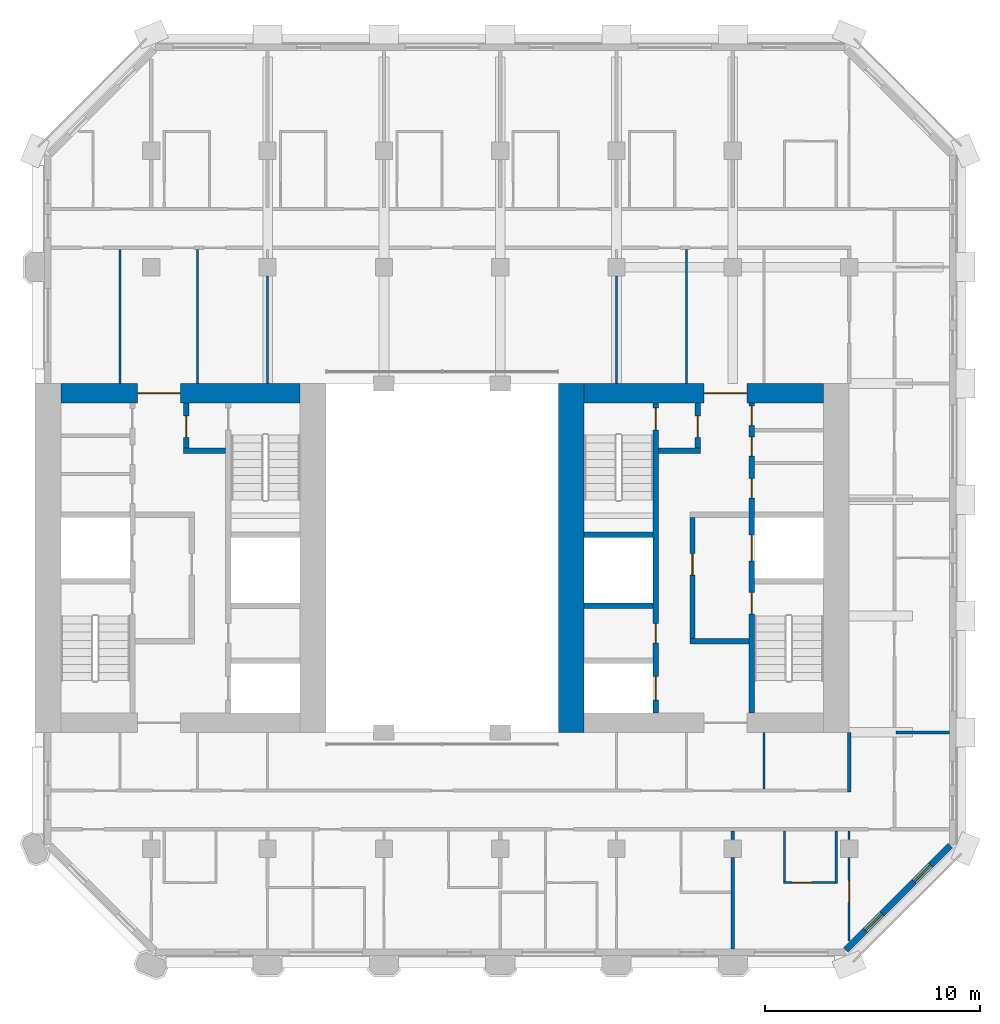
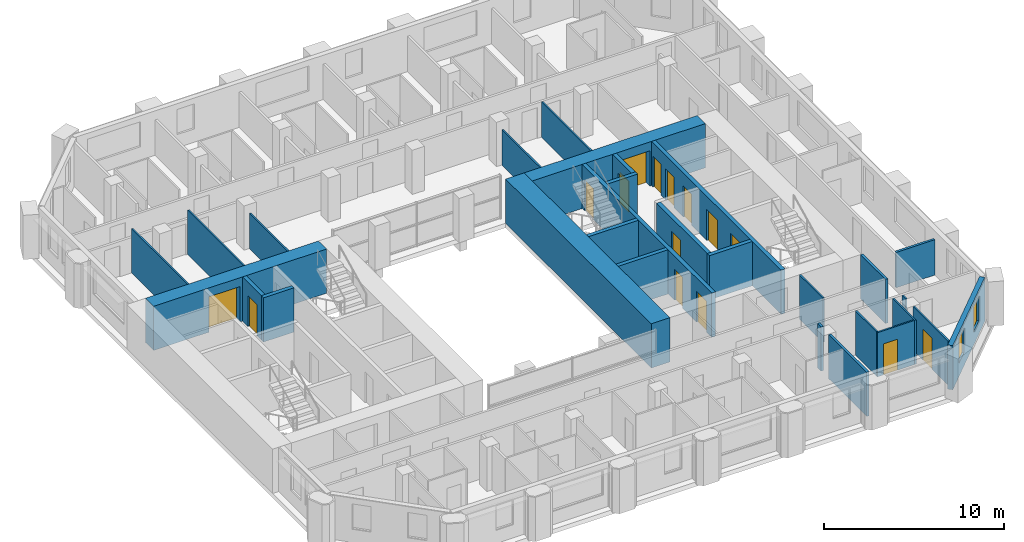
# One storey, part 6 of 12: 29 walls, 15 doors, 2 windows, 17 openings.
"""IFC4 building model written with IfcOpenShell, lengths in metres."""

from ifc_helpers import new_model, si_unit, direction, frame, frame_2d, origin, place, context, subcontext, project, spatial, rectangle, extrude, material, layer, layer_set, type_object, element, fill, save


model = new_model("IFC4")

# Units and contexts
model_context = context("Model", 3, precision=1e-05, world=origin(), true_north=direction((0.0, 1.0)))
body_context = subcontext(model_context, "Body", "Model", "MODEL_VIEW")
ifc_project = project(units=[si_unit("LENGTHUNIT", "METRE"), si_unit("AREAUNIT", "SQUARE_METRE"), si_unit("VOLUMEUNIT", "CUBIC_METRE"), si_unit("PLANEANGLEUNIT", "RADIAN"), si_unit("MASSUNIT", "GRAM", prefix="KILO")], contexts=[model_context])

# Site, building, storey
site_placement = place(None, origin())
site = spatial("IfcSite", under=ifc_project, at=site_placement, CompositionType="ELEMENT")
building_placement = place(site_placement, origin())
building = spatial("IfcBuilding", under=site, at=building_placement, Name="Tabaq Tower and Sports Hall", CompositionType="ELEMENT")
storey_placement = place(building_placement, frame((0.0, 0.0, 184.0)))
storey = spatial("IfcBuildingStorey", under=building, at=storey_placement, Name="L44", CompositionType="ELEMENT", Elevation=184.0)

# Wall
ifc_material_1 = material(Name="Concrete C50/60", Category="concrete")
ifc_layer_1 = layer(ifc_material_1, 1.199951171875)
ifc_layer_set_1 = layer_set([ifc_layer_1], Name="Core wall 1200 Concrete C50/60")
wall_type_1 = type_object("IfcWallType", Name="Core wall 1200 Concrete C50/60", PredefinedType="SOLIDWALL", material=ifc_layer_set_1)
wall_1_placement = place(storey_placement, frame((30.300048828125, 16.199951171875, 0.0), z_axis=(0.0, 0.0, 1.0), x_axis=(0.0, 1.0, 0.0)))
element("IfcWall", 1, at=wall_1_placement, inside=storey, type_object=wall_type_1, Name="Core wall E L44", PredefinedType="SOLIDWALL", context=body_context, shape_type="SweptSolid", body=[
    extrude(rectangle(XDim=16.199951171875, YDim=1.199951171875, at=frame_2d((8.10009765625, 0.0))), origin(), (0.0, 0.0, 1.0), 3.0),
])

# Wall, opening, door
ifc_material_2 = material(Name="Concrete C50/60", Category="concrete")
ifc_layer_2 = layer(ifc_material_2, 0.89990234375)
ifc_layer_set_2 = layer_set([ifc_layer_2], Name="Core wall 900 Concrete C50/60")
wall_type_2 = type_object("IfcWallType", Name="Core wall 900 Concrete C50/60", PredefinedType="SOLIDWALL", material=ifc_layer_set_2)
wall_2_placement = place(storey_placement, frame((6.60009765625, 31.949951171875, 0.0), z_axis=(0.0, 0.0, 1.0), x_axis=(1.0, 0.0, 0.0)))
wall_2 = element("IfcWall", 2, at=wall_2_placement, inside=storey, type_object=wall_type_2, Name="Core wall W L44", PredefinedType="SOLIDWALL", context=body_context, shape_type="SweptSolid", body=[
    extrude(rectangle(XDim=11.099853515625, YDim=0.89990234375, at=frame_2d((5.5498046875, 0.0))), origin(), (0.0, 0.0, 1.0), 3.0),
])
opening_1_placement = place(wall_2_placement, frame((3.550048828125, 0.0, 0.0)))
opening_1 = element("IfcOpeningElement", 3, at=opening_1_placement, cuts=wall_2, Name="Opening PD-WL44-02", PredefinedType="OPENING", context=body_context, shape_type="SweptSolid", body=[
    extrude(rectangle(XDim=2.0, YDim=2.39990234375, at=frame_2d((1.0, 1.199951171875))), frame((0.0, 0.449951171875, 0.0), z_axis=(0.0, -1.0, 0.0), x_axis=(1.0, 0.0, 0.0)), (0.0, 0.0, 1.0), 0.89990234375),
])
ifc_material_3 = material(Name="Steel fire door", Category="steel")
door_type_1 = type_object("IfcDoorType", Name="Core entrance door 2000", OperationType="DOUBLE_DOOR_SINGLE_SWING", PredefinedType="DOOR", material=ifc_material_3)
door_1_placement = place(opening_1_placement, origin())
door_1 = element("IfcDoor", 4, at=door_1_placement, inside=storey, type_object=door_type_1, Name="Core entrance north W L44", OperationType="DOUBLE_DOOR_SINGLE_SWING", OverallHeight=2.39990234375, OverallWidth=2.0, PredefinedType="DOOR", context=body_context, shape_type="SweptSolid", body=[
    extrude(rectangle(XDim=2.0, YDim=2.39990234375, at=frame_2d((1.0, 1.199951171875))), frame((0.0, 0.02490234375, 0.0), z_axis=(0.0, -1.0, 0.0), x_axis=(1.0, 0.0, 0.0)), (0.0, 0.0, 1.0), 0.050048828125),
])
fill(opening_1, door_1)

wall_3_placement = place(storey_placement, frame((30.89990234375, 31.949951171875, 0.0), z_axis=(0.0, 0.0, 1.0), x_axis=(1.0, 0.0, 0.0)))
wall_3 = element("IfcWall", 5, at=wall_3_placement, inside=storey, type_object=wall_type_2, Name="Core wall E L44", PredefinedType="SOLIDWALL", context=body_context, shape_type="SweptSolid", body=[
    extrude(rectangle(XDim=11.10009765625, YDim=0.89990234375, at=frame_2d((5.550048828125, 0.0))), origin(), (0.0, 0.0, 1.0), 3.0),
])
opening_2_placement = place(wall_3_placement, frame((5.550048828125, 0.0, 0.0)))
opening_2 = element("IfcOpeningElement", 6, at=opening_2_placement, cuts=wall_3, Name="Opening PD-EL44-02", PredefinedType="OPENING", context=body_context, shape_type="SweptSolid", body=[
    extrude(rectangle(XDim=2.0, YDim=2.39990234375, at=frame_2d((1.0, 1.199951171875))), frame((0.0, 0.449951171875, 0.0), z_axis=(0.0, -1.0, 0.0), x_axis=(1.0, 0.0, 0.0)), (0.0, 0.0, 1.0), 0.89990234375),
])
door_2_placement = place(opening_2_placement, origin())
door_2 = element("IfcDoor", 7, at=door_2_placement, inside=storey, type_object=door_type_1, Name="Core entrance north E L44", OperationType="DOUBLE_DOOR_SINGLE_SWING", OverallHeight=2.39990234375, OverallWidth=2.0, PredefinedType="DOOR", context=body_context, shape_type="SweptSolid", body=[
    extrude(rectangle(XDim=2.0, YDim=2.39990234375, at=frame_2d((1.0, 1.199951171875))), frame((0.0, 0.02490234375, 0.0), z_axis=(0.0, -1.0, 0.0), x_axis=(1.0, 0.0, 0.0)), (0.0, 0.0, 1.0), 0.050048828125),
])
fill(opening_2, door_2)

# Walls
ifc_material_4 = material(Name="Gypsum board on steel studs", Category="steel")
ifc_layer_3 = layer(ifc_material_4, 0.10009765625)
ifc_layer_set_3 = layer_set([ifc_layer_3], Name="Partition 100 Gypsum board")
wall_type_3 = type_object("IfcWallType", Name="Partition 100 Gypsum board", PredefinedType="PARTITIONING", material=ifc_layer_set_3)
for number, where, z_axis, x_axis, name in (
    (8, (16.199951171875, 37.3798828125, 0.0), (0.0, 0.0, 1.0), (0.0, -1.0, 0.0), "Partition wall L44"),
    (9, (32.39990234375, 32.39990234375, 0.0), (0.0, 0.0, 1.0), (0.0, 1.0, 0.0), "Partition wall L44"),
):
    element("IfcWall", number, at=place(storey_placement, frame(where, z_axis=z_axis, x_axis=x_axis)), inside=storey, type_object=wall_type_3, Name=name, PredefinedType="PARTITIONING", context=body_context, shape_type="SweptSolid", body=[
        extrude(rectangle(XDim=4.97998046875, YDim=0.10009765625, at=frame_2d((2.489990234375, 0.0))), origin(), (0.0, 0.0, 1.0), 2.39990234375),
    ])
for number, where, z_axis, x_axis, name in (
    (10, (9.35009765625, 38.625, 0.0), (0.0, 0.0, 1.0), (0.0, -1.0, 0.0), "Partition wall L44"),
    (11, (12.949951171875, 32.39990234375, 0.0), (0.0, 0.0, 1.0), (0.0, 1.0, 0.0), "Partition wall L44"),
):
    element("IfcWall", number, at=place(storey_placement, frame(where, z_axis=z_axis, x_axis=x_axis)), inside=storey, type_object=wall_type_3, Name=name, PredefinedType="PARTITIONING", context=body_context, shape_type="SweptSolid", body=[
        extrude(rectangle(XDim=6.22509765625, YDim=0.10009765625, at=frame_2d((3.112548828125, 0.0))), origin(), (0.0, 0.0, 1.0), 3.0),
    ])
wall_4_placement = place(storey_placement, frame((35.64990234375, 38.625, 0.0), z_axis=(0.0, 0.0, 1.0), x_axis=(0.0, -1.0, 0.0)))
element("IfcWall", 12, at=wall_4_placement, inside=storey, type_object=wall_type_3, Name="Partition wall L44", PredefinedType="PARTITIONING", context=body_context, shape_type="SweptSolid", body=[
    extrude(rectangle(XDim=6.22509765625, YDim=0.10009765625, at=frame_2d((3.112548828125, 0.0))), origin(), (0.0, 0.0, 1.0), 2.39990234375),
])

# Wall, opening, door
wall_5_placement = place(storey_placement, frame((43.199951171875, 6.51220703125, 0.0), z_axis=(0.0, 0.0, 1.0), x_axis=(0.0, 1.0, 0.0)))
wall_5 = element("IfcWall", 13, at=wall_5_placement, inside=storey, type_object=wall_type_3, Name="Partition wall L44", PredefinedType="PARTITIONING", context=body_context, shape_type="SweptSolid", body=[
    extrude(rectangle(XDim=3.86767578125, YDim=0.10009765625, at=frame_2d((1.933837890625, 0.0))), origin(), (0.0, 0.0, 1.0), 3.0),
])
opening_3_placement = place(wall_5_placement, frame((1.80029296875, 0.0, 0.0)))
opening_3 = element("IfcOpeningElement", 14, at=opening_3_placement, cuts=wall_5, Name="Opening L44-045", PredefinedType="OPENING", context=body_context, shape_type="SweptSolid", body=[
    extrude(rectangle(XDim=1.0, YDim=2.10009765625, at=frame_2d((0.5, 1.050048828125))), frame((0.0, 0.050048828125, 0.0), z_axis=(0.0, -1.0, 0.0), x_axis=(1.0, 0.0, 0.0)), (0.0, 0.0, 1.0), 0.10009765625),
])
ifc_material_5 = material(Name="Timber leaf in steel frame", Category="steel")
door_type_2 = type_object("IfcDoorType", Name="Internal door 1000 right hand", OperationType="SINGLE_SWING_RIGHT", PredefinedType="DOOR", material=ifc_material_5)
door_3_placement = place(opening_3_placement, origin())
door_3 = element("IfcDoor", 15, at=door_3_placement, inside=storey, type_object=door_type_2, Name="Internal door L44-045", OperationType="SINGLE_SWING_RIGHT", OverallHeight=2.10009765625, OverallWidth=1.0, PredefinedType="DOOR", context=body_context, shape_type="SweptSolid", body=[
    extrude(rectangle(XDim=1.0, YDim=2.10009765625, at=frame_2d((0.5, 1.050048828125))), frame((0.0, 0.02490234375, 0.0), z_axis=(0.0, -1.0, 0.0), x_axis=(1.0, 0.0, 0.0)), (0.0, 0.0, 1.0), 0.050048828125),
])
fill(opening_3, door_3)

# Walls
wall_6_placement = place(storey_placement, frame((43.199951171875, 11.219970703125, 0.0), z_axis=(0.0, 0.0, 1.0), x_axis=(0.0, 1.0, 0.0)))
element("IfcWall", 16, at=wall_6_placement, inside=storey, type_object=wall_type_3, Name="Partition wall L44", PredefinedType="PARTITIONING", context=body_context, shape_type="SweptSolid", body=[
    extrude(rectangle(XDim=0.405029296875, YDim=0.10009765625, at=frame_2d((0.20263671875, 0.0))), origin(), (0.0, 0.0, 1.0), 3.0),
])
wall_7_placement = place(storey_placement, frame((42.60009765625, 11.625, 0.0), z_axis=(0.0, 0.0, 1.0), x_axis=(0.0, -1.0, 0.0)))
element("IfcWall", 17, at=wall_7_placement, inside=storey, type_object=wall_type_3, Name="Partition wall L44", PredefinedType="PARTITIONING", context=body_context, shape_type="SweptSolid", body=[
    extrude(rectangle(XDim=2.449951171875, YDim=0.10009765625, at=frame_2d((1.22509765625, 0.0))), origin(), (0.0, 0.0, 1.0), 3.0),
])

# Wall, opening, door
wall_8_placement = place(storey_placement, frame((42.550048828125, 9.22509765625, 0.0), z_axis=(0.0, 0.0, 1.0), x_axis=(-1.0, 0.0, 0.0)))
wall_8 = element("IfcWall", 18, at=wall_8_placement, inside=storey, type_object=wall_type_3, Name="Partition wall L44", PredefinedType="PARTITIONING", context=body_context, shape_type="SweptSolid", body=[
    extrude(rectangle(XDim=2.400146484375, YDim=0.10009765625, at=frame_2d((1.2001953125, 0.0))), origin(), (0.0, 0.0, 1.0), 3.0),
])
opening_4_placement = place(wall_8_placement, frame((1.10009765625, 0.0, 0.0)))
opening_4 = element("IfcOpeningElement", 19, at=opening_4_placement, cuts=wall_8, Name="Opening L44-023", PredefinedType="OPENING", context=body_context, shape_type="SweptSolid", body=[
    extrude(rectangle(XDim=0.89990234375, YDim=2.10009765625, at=frame_2d((0.449951171875, 1.050048828125))), frame((0.0, 0.050048828125, 0.0), z_axis=(0.0, -1.0, 0.0), x_axis=(1.0, 0.0, 0.0)), (0.0, 0.0, 1.0), 0.10009765625),
])
ifc_material_6 = material(Name="Timber leaf in steel frame", Category="steel")
door_type_3 = type_object("IfcDoorType", Name="Internal door 900 right hand", OperationType="SINGLE_SWING_RIGHT", PredefinedType="DOOR", material=ifc_material_6)
door_4_placement = place(opening_4_placement, origin())
door_4 = element("IfcDoor", 20, at=door_4_placement, inside=storey, type_object=door_type_3, Name="Internal door L44-023", OperationType="SINGLE_SWING_RIGHT", OverallHeight=2.10009765625, OverallWidth=0.89990234375, PredefinedType="DOOR", context=body_context, shape_type="SweptSolid", body=[
    extrude(rectangle(XDim=0.89990234375, YDim=2.10009765625, at=frame_2d((0.449951171875, 1.050048828125))), frame((0.0, 0.02490234375, 0.0), z_axis=(0.0, -1.0, 0.0), x_axis=(1.0, 0.0, 0.0)), (0.0, 0.0, 1.0), 0.050048828125),
])
fill(opening_4, door_4)

# Walls
wall_9_placement = place(storey_placement, frame((40.199951171875, 9.27490234375, 0.0), z_axis=(0.0, 0.0, 1.0), x_axis=(0.0, 1.0, 0.0)))
element("IfcWall", 21, at=wall_9_placement, inside=storey, type_object=wall_type_3, Name="Partition wall L44", PredefinedType="PARTITIONING", context=body_context, shape_type="SweptSolid", body=[
    extrude(rectangle(XDim=2.35009765625, YDim=0.10009765625, at=frame_2d((1.175048828125, 0.0))), origin(), (0.0, 0.0, 1.0), 3.0),
])
wall_10_placement = place(storey_placement, frame((39.25, 13.574951171875, 0.0), z_axis=(0.0, 0.0, 1.0), x_axis=(0.0, 1.0, 0.0)))
element("IfcWall", 22, at=wall_10_placement, inside=storey, type_object=wall_type_3, Name="Partition wall L44", PredefinedType="PARTITIONING", context=body_context, shape_type="SweptSolid", body=[
    extrude(rectangle(XDim=2.625, YDim=0.10009765625, at=frame_2d((1.3125, 0.0))), origin(), (0.0, 0.0, 1.0), 3.0),
])
ifc_material_7 = material(Name="Blockwork", Category="masonry")
ifc_layer_4 = layer(ifc_material_7, 0.14990234375)
ifc_layer_set_4 = layer_set([ifc_layer_4], Name="Separating wall 150 Blockwork")
wall_type_4 = type_object("IfcWallType", Name="Separating wall 150 Blockwork", PredefinedType="PARTITIONING", material=ifc_layer_set_4)
wall_11_placement = place(storey_placement, frame((47.84912109375, 16.199951171875, 0.0), z_axis=(0.0, 0.0, 1.0), x_axis=(-1.0, 0.0, 0.0)))
element("IfcWall", 23, at=wall_11_placement, inside=storey, type_object=wall_type_4, Name="Separating wall L44", PredefinedType="PARTITIONING", context=body_context, shape_type="SweptSolid", body=[
    extrude(rectangle(XDim=2.47412109375, YDim=0.14990234375, at=frame_2d((1.237060546875, 0.0))), origin(), (0.0, 0.0, 1.0), 2.39990234375),
])
wall_12_placement = place(storey_placement, frame((37.800048828125, 6.15087890625, 0.0), z_axis=(0.0, 0.0, 1.0), x_axis=(0.0, 1.0, 0.0)))
element("IfcWall", 24, at=wall_12_placement, inside=storey, type_object=wall_type_4, Name="Separating wall L44", PredefinedType="PARTITIONING", context=body_context, shape_type="SweptSolid", body=[
    extrude(rectangle(XDim=4.22900390625, YDim=0.14990234375, at=frame_2d((2.114501953125, 0.0))), origin(), (0.0, 0.0, 1.0), 3.0),
])
wall_13_placement = place(storey_placement, frame((37.800048828125, 11.219970703125, 0.0), z_axis=(0.0, 0.0, 1.0), x_axis=(0.0, 1.0, 0.0)))
element("IfcWall", 25, at=wall_13_placement, inside=storey, type_object=wall_type_4, Name="Separating wall L44", PredefinedType="PARTITIONING", context=body_context, shape_type="SweptSolid", body=[
    extrude(rectangle(XDim=0.405029296875, YDim=0.14990234375, at=frame_2d((0.20263671875, 0.0))), origin(), (0.0, 0.0, 1.0), 3.0),
])
wall_14_placement = place(storey_placement, frame((43.199951171875, 16.199951171875, 0.0), z_axis=(0.0, 0.0, 1.0), x_axis=(0.0, -1.0, 0.0)))
element("IfcWall", 26, at=wall_14_placement, inside=storey, type_object=wall_type_4, Name="Separating wall L44", PredefinedType="PARTITIONING", context=body_context, shape_type="SweptSolid", body=[
    extrude(rectangle(XDim=2.77490234375, YDim=0.14990234375, at=frame_2d((1.387451171875, 0.0))), origin(), (0.0, 0.0, 1.0), 3.0),
])

# Wall, opening, door
ifc_material_8 = material(Name="Concrete C40/50", Category="concrete")
ifc_layer_5 = layer(ifc_material_8, 0.25)
ifc_layer_set_5 = layer_set([ifc_layer_5], Name="Shaft and stair wall 250 Concrete C40/50")
wall_type_5 = type_object("IfcWallType", Name="Shaft and stair wall 250 Concrete C40/50", PredefinedType="SOLIDWALL", material=ifc_layer_set_5)
wall_15_placement = place(storey_placement, frame((12.425048828125, 29.39990234375, 0.0), z_axis=(0.0, 0.0, 1.0), x_axis=(0.0, 1.0, 0.0)))
wall_15 = element("IfcWall", 27, at=wall_15_placement, inside=storey, type_object=wall_type_5, Name="Fire-fighting lobby wall W L44", PredefinedType="SOLIDWALL", context=body_context, shape_type="SweptSolid", body=[
    extrude(rectangle(XDim=2.10009765625, YDim=0.25, at=frame_2d((1.050048828125, 0.0))), origin(), (0.0, 0.0, 1.0), 3.0),
])
opening_5_placement = place(wall_15_placement, frame((0.5, 0.0, 0.0)))
opening_5 = element("IfcOpeningElement", 28, at=opening_5_placement, cuts=wall_15, Name="Opening FD-WL44-06", PredefinedType="OPENING", context=body_context, shape_type="SweptSolid", body=[
    extrude(rectangle(XDim=1.0, YDim=2.10009765625, at=frame_2d((0.5, 1.050048828125))), frame((0.0, 0.125, 0.0), z_axis=(0.0, -1.0, 0.0), x_axis=(1.0, 0.0, 0.0)), (0.0, 0.0, 1.0), 0.25),
])
ifc_material_9 = material(Name="Steel fire door", Category="steel")
door_type_4 = type_object("IfcDoorType", Name="Fire-fighting lobby door 1000", OperationType="SINGLE_SWING_LEFT", PredefinedType="DOOR", material=ifc_material_9)
door_5_placement = place(opening_5_placement, origin())
door_5 = element("IfcDoor", 29, at=door_5_placement, inside=storey, type_object=door_type_4, Name="Stair lobby door W L44", OperationType="SINGLE_SWING_LEFT", OverallHeight=2.10009765625, OverallWidth=1.0, PredefinedType="DOOR", context=body_context, shape_type="SweptSolid", body=[
    extrude(rectangle(XDim=1.0, YDim=2.10009765625, at=frame_2d((0.5, 1.050048828125))), frame((0.0, 0.02490234375, 0.0), z_axis=(0.0, -1.0, 0.0), x_axis=(1.0, 0.0, 0.0)), (0.0, 0.0, 1.0), 0.050048828125),
])
fill(opening_5, door_5)

# Wall
wall_16_placement = place(storey_placement, frame((12.300048828125, 29.27490234375, 0.0), z_axis=(0.0, 0.0, 1.0), x_axis=(1.0, 0.0, 0.0)))
element("IfcWall", 30, at=wall_16_placement, inside=storey, type_object=wall_type_5, Name="Fire-fighting lobby wall W L44", PredefinedType="SOLIDWALL", context=body_context, shape_type="SweptSolid", body=[
    extrude(rectangle(XDim=1.949951171875, YDim=0.25, at=frame_2d((0.97509765625, 0.0))), origin(), (0.0, 0.0, 1.0), 3.0),
])

# Wall, openings, doors
wall_17_placement = place(storey_placement, frame((38.675048828125, 17.10009765625, 0.0), z_axis=(0.0, 0.0, 1.0), x_axis=(0.0, 1.0, 0.0)))
wall_17 = element("IfcWall", 31, at=wall_17_placement, inside=storey, type_object=wall_type_5, Name="Shaft wall E L44", PredefinedType="SOLIDWALL", context=body_context, shape_type="SweptSolid", body=[
    extrude(rectangle(XDim=14.39990234375, YDim=0.25, at=frame_2d((7.199951171875, 0.0))), origin(), (0.0, 0.0, 1.0), 3.0),
])
opening_6_placement = place(wall_17_placement, frame((4.60009765625, 0.0, 0.0)))
opening_6 = element("IfcOpeningElement", 32, at=opening_6_placement, cuts=wall_17, Name="Opening SD-EL44-03", PredefinedType="OPENING", context=body_context, shape_type="SweptSolid", body=[
    extrude(rectangle(XDim=1.0, YDim=2.10009765625, at=frame_2d((0.5, 1.050048828125))), frame((0.0, 0.125, 0.0), z_axis=(0.0, -1.0, 0.0), x_axis=(1.0, 0.0, 0.0)), (0.0, 0.0, 1.0), 0.25),
])
opening_7_placement = place(wall_17_placement, frame((7.0625, 0.0, 0.0)))
opening_7 = element("IfcOpeningElement", 33, at=opening_7_placement, cuts=wall_17, Name="Opening LD-FF2-L44", PredefinedType="OPENING", context=body_context, shape_type="SweptSolid", body=[
    extrude(rectangle(XDim=1.199951171875, YDim=2.10009765625, at=frame_2d((0.60009765625, 1.050048828125))), frame((0.0, 0.125, 0.0), z_axis=(0.0, -1.0, 0.0), x_axis=(1.0, 0.0, 0.0)), (0.0, 0.0, 1.0), 0.25),
])
opening_8_placement = place(wall_17_placement, frame((9.9794921875, 0.0, 0.0)))
opening_8 = element("IfcOpeningElement", 34, at=opening_8_placement, cuts=wall_17, Name="Opening RD-EL44-09", PredefinedType="OPENING", context=body_context, shape_type="SweptSolid", body=[
    extrude(rectangle(XDim=0.89990234375, YDim=2.10009765625, at=frame_2d((0.449951171875, 1.050048828125))), frame((0.0, 0.125, 0.0), z_axis=(0.0, -1.0, 0.0), x_axis=(1.0, 0.0, 0.0)), (0.0, 0.0, 1.0), 0.25),
])
opening_9_placement = place(wall_17_placement, frame((11.92041015625, 0.0, 0.0)))
opening_9 = element("IfcOpeningElement", 35, at=opening_9_placement, cuts=wall_17, Name="Opening RD-EL44-10", PredefinedType="OPENING", context=body_context, shape_type="SweptSolid", body=[
    extrude(rectangle(XDim=0.89990234375, YDim=2.10009765625, at=frame_2d((0.449951171875, 1.050048828125))), frame((0.0, 0.125, 0.0), z_axis=(0.0, -1.0, 0.0), x_axis=(1.0, 0.0, 0.0)), (0.0, 0.0, 1.0), 0.25),
])
opening_10_placement = place(wall_17_placement, frame((13.353515625, 0.0, 0.0)))
opening_10 = element("IfcOpeningElement", 36, at=opening_10_placement, cuts=wall_17, Name="Opening RD-EL44-11", PredefinedType="OPENING", context=body_context, shape_type="SweptSolid", body=[
    extrude(rectangle(XDim=0.89990234375, YDim=2.10009765625, at=frame_2d((0.449951171875, 1.050048828125))), frame((0.0, 0.125, 0.0), z_axis=(0.0, -1.0, 0.0), x_axis=(1.0, 0.0, 0.0)), (0.0, 0.0, 1.0), 0.25),
])
ifc_material_10 = material(Name="Steel fire door", Category="steel")
door_type_5 = type_object("IfcDoorType", Name="Core room door 900", OperationType="SINGLE_SWING_LEFT", PredefinedType="DOOR", material=ifc_material_10)
door_6_placement = place(opening_8_placement, origin())
door_6 = element("IfcDoor", 37, at=door_6_placement, inside=storey, type_object=door_type_5, Name="Door Unisex WC E L44", OperationType="SINGLE_SWING_LEFT", OverallHeight=2.10009765625, OverallWidth=0.89990234375, PredefinedType="DOOR", context=body_context, shape_type="SweptSolid", body=[
    extrude(rectangle(XDim=0.89990234375, YDim=2.10009765625, at=frame_2d((0.449951171875, 1.050048828125))), frame((0.0, 0.02490234375, 0.0), z_axis=(0.0, -1.0, 0.0), x_axis=(1.0, 0.0, 0.0)), (0.0, 0.0, 1.0), 0.050048828125),
])
fill(opening_8, door_6)
door_7_placement = place(opening_9_placement, origin())
door_7 = element("IfcDoor", 38, at=door_7_placement, inside=storey, type_object=door_type_5, Name="Door Accessible WC E L44", OperationType="SINGLE_SWING_LEFT", OverallHeight=2.10009765625, OverallWidth=0.89990234375, PredefinedType="DOOR", context=body_context, shape_type="SweptSolid", body=[
    extrude(rectangle(XDim=0.89990234375, YDim=2.10009765625, at=frame_2d((0.449951171875, 1.050048828125))), frame((0.0, 0.02490234375, 0.0), z_axis=(0.0, -1.0, 0.0), x_axis=(1.0, 0.0, 0.0)), (0.0, 0.0, 1.0), 0.050048828125),
])
fill(opening_9, door_7)
door_8_placement = place(opening_10_placement, origin())
door_8 = element("IfcDoor", 39, at=door_8_placement, inside=storey, type_object=door_type_5, Name="Door Electrical Riser Room E L44", OperationType="SINGLE_SWING_LEFT", OverallHeight=2.10009765625, OverallWidth=0.89990234375, PredefinedType="DOOR", context=body_context, shape_type="SweptSolid", body=[
    extrude(rectangle(XDim=0.89990234375, YDim=2.10009765625, at=frame_2d((0.449951171875, 1.050048828125))), frame((0.0, 0.02490234375, 0.0), z_axis=(0.0, -1.0, 0.0), x_axis=(1.0, 0.0, 0.0)), (0.0, 0.0, 1.0), 0.050048828125),
])
fill(opening_10, door_8)
ifc_material_11 = material(Name="Stainless steel", Category="steel")
door_type_6 = type_object("IfcDoorType", Name="Lift landing door 1200", OperationType="DOUBLE_DOOR_SLIDING", PredefinedType="DOOR", material=ifc_material_11)
door_9_placement = place(opening_7_placement, origin())
door_9 = element("IfcDoor", 40, at=door_9_placement, inside=storey, type_object=door_type_6, Name="Lift landing door FF2 E L44", OperationType="DOUBLE_DOOR_SLIDING", OverallHeight=2.10009765625, OverallWidth=1.199951171875, PredefinedType="DOOR", context=body_context, shape_type="SweptSolid", body=[
    extrude(rectangle(XDim=1.199951171875, YDim=2.10009765625, at=frame_2d((0.60009765625, 1.050048828125))), frame((0.0, 0.02490234375, 0.0), z_axis=(0.0, -1.0, 0.0), x_axis=(1.0, 0.0, 0.0)), (0.0, 0.0, 1.0), 0.050048828125),
])
fill(opening_7, door_9)
ifc_material_12 = material(Name="Steel fire door", Category="steel")
door_type_7 = type_object("IfcDoorType", Name="Stair door 1000", OperationType="SINGLE_SWING_LEFT", PredefinedType="DOOR", material=ifc_material_12)
door_10_placement = place(opening_6_placement, origin())
door_10 = element("IfcDoor", 41, at=door_10_placement, inside=storey, type_object=door_type_7, Name="Stair door ST3 E L44", OperationType="SINGLE_SWING_LEFT", OverallHeight=2.10009765625, OverallWidth=1.0, PredefinedType="DOOR", context=body_context, shape_type="SweptSolid", body=[
    extrude(rectangle(XDim=1.0, YDim=2.10009765625, at=frame_2d((0.5, 1.050048828125))), frame((0.0, 0.02490234375, 0.0), z_axis=(0.0, -1.0, 0.0), x_axis=(1.0, 0.0, 0.0)), (0.0, 0.0, 1.0), 0.050048828125),
])
fill(opening_6, door_10)

wall_18_placement = place(storey_placement, frame((34.22509765625, 17.10009765625, 0.0), z_axis=(0.0, 0.0, 1.0), x_axis=(0.0, 1.0, 0.0)))
wall_18 = element("IfcWall", 42, at=wall_18_placement, inside=storey, type_object=wall_type_5, Name="Shaft wall E L44", PredefinedType="SOLIDWALL", context=body_context, shape_type="SweptSolid", body=[
    extrude(rectangle(XDim=14.39990234375, YDim=0.25, at=frame_2d((7.199951171875, 0.0))), origin(), (0.0, 0.0, 1.0), 3.0),
])
opening_11_placement = place(wall_18_placement, frame((13.14990234375, 0.0, 0.0)))
opening_11 = element("IfcOpeningElement", 43, at=opening_11_placement, cuts=wall_18, Name="Opening SD-EL44-05", PredefinedType="OPENING", context=body_context, shape_type="SweptSolid", body=[
    extrude(rectangle(XDim=1.0, YDim=2.10009765625, at=frame_2d((0.5, 1.050048828125))), frame((0.0, 0.125, 0.0), z_axis=(0.0, -1.0, 0.0), x_axis=(1.0, 0.0, 0.0)), (0.0, 0.0, 1.0), 0.25),
])
opening_12_placement = place(wall_18_placement, frame((0.60009765625, 0.0, 0.0)))
opening_12 = element("IfcOpeningElement", 44, at=opening_12_placement, cuts=wall_18, Name="Opening LD-MR2-L44", PredefinedType="OPENING", context=body_context, shape_type="SweptSolid", body=[
    extrude(rectangle(XDim=1.10009765625, YDim=2.10009765625, at=frame_2d((0.550048828125, 1.050048828125))), frame((0.0, 0.125, 0.0), z_axis=(0.0, -1.0, 0.0), x_axis=(1.0, 0.0, 0.0)), (0.0, 0.0, 1.0), 0.25),
])
opening_13_placement = place(wall_18_placement, frame((3.25, 0.0, 0.0)))
opening_13 = element("IfcOpeningElement", 45, at=opening_13_placement, cuts=wall_18, Name="Opening RD-EL44-12", PredefinedType="OPENING", context=body_context, shape_type="SweptSolid", body=[
    extrude(rectangle(XDim=0.89990234375, YDim=2.10009765625, at=frame_2d((0.449951171875, 1.050048828125))), frame((0.0, 0.125, 0.0), z_axis=(0.0, -1.0, 0.0), x_axis=(1.0, 0.0, 0.0)), (0.0, 0.0, 1.0), 0.25),
])
door_11_placement = place(opening_13_placement, origin())
door_11 = element("IfcDoor", 46, at=door_11_placement, inside=storey, type_object=door_type_5, Name="Door Cleaner's Store E L44", OperationType="SINGLE_SWING_LEFT", OverallHeight=2.10009765625, OverallWidth=0.89990234375, PredefinedType="DOOR", context=body_context, shape_type="SweptSolid", body=[
    extrude(rectangle(XDim=0.89990234375, YDim=2.10009765625, at=frame_2d((0.449951171875, 1.050048828125))), frame((0.0, 0.02490234375, 0.0), z_axis=(0.0, -1.0, 0.0), x_axis=(1.0, 0.0, 0.0)), (0.0, 0.0, 1.0), 0.050048828125),
])
fill(opening_13, door_11)
ifc_material_13 = material(Name="Stainless steel", Category="steel")
door_type_8 = type_object("IfcDoorType", Name="Lift landing door 1100", OperationType="DOUBLE_DOOR_SLIDING", PredefinedType="DOOR", material=ifc_material_13)
door_12_placement = place(opening_12_placement, origin())
door_12 = element("IfcDoor", 47, at=door_12_placement, inside=storey, type_object=door_type_8, Name="Lift landing door MR2 E L44", OperationType="DOUBLE_DOOR_SLIDING", OverallHeight=2.10009765625, OverallWidth=1.10009765625, PredefinedType="DOOR", context=body_context, shape_type="SweptSolid", body=[
    extrude(rectangle(XDim=1.10009765625, YDim=2.10009765625, at=frame_2d((0.550048828125, 1.050048828125))), frame((0.0, 0.02490234375, 0.0), z_axis=(0.0, -1.0, 0.0), x_axis=(1.0, 0.0, 0.0)), (0.0, 0.0, 1.0), 0.050048828125),
])
fill(opening_12, door_12)
door_13_placement = place(opening_11_placement, origin())
door_13 = element("IfcDoor", 48, at=door_13_placement, inside=storey, type_object=door_type_7, Name="Stair door ST4 E L44", OperationType="SINGLE_SWING_LEFT", OverallHeight=2.10009765625, OverallWidth=1.0, PredefinedType="DOOR", context=body_context, shape_type="SweptSolid", body=[
    extrude(rectangle(XDim=1.0, YDim=2.10009765625, at=frame_2d((0.5, 1.050048828125))), frame((0.0, 0.02490234375, 0.0), z_axis=(0.0, -1.0, 0.0), x_axis=(1.0, 0.0, 0.0)), (0.0, 0.0, 1.0), 0.050048828125),
])
fill(opening_11, door_13)

# Walls
for number, where, z_axis, x_axis, name in (
    (49, (30.89990234375, 25.375, 0.0), (0.0, 0.0, 1.0), (1.0, 0.0, 0.0), "Stair enclosure wall E L44"),
    (50, (30.89990234375, 22.074951171875, 0.0), (0.0, 0.0, 1.0), (1.0, 0.0, 0.0), "Shaft wall E L44"),
):
    element("IfcWall", number, at=place(storey_placement, frame(where, z_axis=z_axis, x_axis=x_axis)), inside=storey, type_object=wall_type_5, Name=name, PredefinedType="SOLIDWALL", context=body_context, shape_type="SweptSolid", body=[
        extrude(rectangle(XDim=3.2001953125, YDim=0.25, at=frame_2d((1.60009765625, 0.0))), origin(), (0.0, 0.0, 1.0), 3.0),
    ])
wall_19_placement = place(storey_placement, frame((35.800048828125, 20.425048828125, 0.0), z_axis=(0.0, 0.0, 1.0), x_axis=(1.0, 0.0, 0.0)))
element("IfcWall", 51, at=wall_19_placement, inside=storey, type_object=wall_type_5, Name="Fire-fighting lobby wall E L44", PredefinedType="SOLIDWALL", context=body_context, shape_type="SweptSolid", body=[
    extrude(rectangle(XDim=2.75, YDim=0.25, at=frame_2d((1.375, 0.0))), origin(), (0.0, 0.0, 1.0), 3.0),
])

# Wall, opening, door
wall_20_placement = place(storey_placement, frame((36.175048828125, 29.39990234375, 0.0), z_axis=(0.0, 0.0, 1.0), x_axis=(0.0, 1.0, 0.0)))
wall_20 = element("IfcWall", 52, at=wall_20_placement, inside=storey, type_object=wall_type_5, Name="Fire-fighting lobby wall E L44", PredefinedType="SOLIDWALL", context=body_context, shape_type="SweptSolid", body=[
    extrude(rectangle(XDim=2.10009765625, YDim=0.25, at=frame_2d((1.050048828125, 0.0))), origin(), (0.0, 0.0, 1.0), 3.0),
])
opening_14_placement = place(wall_20_placement, frame((0.5, 0.0, 0.0)))
opening_14 = element("IfcOpeningElement", 53, at=opening_14_placement, cuts=wall_20, Name="Opening FD-EL44-06", PredefinedType="OPENING", context=body_context, shape_type="SweptSolid", body=[
    extrude(rectangle(XDim=1.0, YDim=2.10009765625, at=frame_2d((0.5, 1.050048828125))), frame((0.0, 0.125, 0.0), z_axis=(0.0, -1.0, 0.0), x_axis=(1.0, 0.0, 0.0)), (0.0, 0.0, 1.0), 0.25),
])
door_14_placement = place(opening_14_placement, origin())
door_14 = element("IfcDoor", 54, at=door_14_placement, inside=storey, type_object=door_type_4, Name="Stair lobby door E L44", OperationType="SINGLE_SWING_LEFT", OverallHeight=2.10009765625, OverallWidth=1.0, PredefinedType="DOOR", context=body_context, shape_type="SweptSolid", body=[
    extrude(rectangle(XDim=1.0, YDim=2.10009765625, at=frame_2d((0.5, 1.050048828125))), frame((0.0, 0.02490234375, 0.0), z_axis=(0.0, -1.0, 0.0), x_axis=(1.0, 0.0, 0.0)), (0.0, 0.0, 1.0), 0.050048828125),
])
fill(opening_14, door_14)

# Wall
wall_21_placement = place(storey_placement, frame((34.35009765625, 29.27490234375, 0.0), z_axis=(0.0, 0.0, 1.0), x_axis=(1.0, 0.0, 0.0)))
element("IfcWall", 55, at=wall_21_placement, inside=storey, type_object=wall_type_5, Name="Fire-fighting lobby wall E L44", PredefinedType="SOLIDWALL", context=body_context, shape_type="SweptSolid", body=[
    extrude(rectangle(XDim=1.949951171875, YDim=0.25, at=frame_2d((0.97509765625, 0.0))), origin(), (0.0, 0.0, 1.0), 3.0),
])

# Wall, opening, door
wall_22_placement = place(storey_placement, frame((35.925048828125, 20.550048828125, 0.0), z_axis=(0.0, 0.0, 1.0), x_axis=(0.0, 1.0, 0.0)))
wall_22 = element("IfcWall", 56, at=wall_22_placement, inside=storey, type_object=wall_type_5, Name="Fire-fighting lobby wall E L44", PredefinedType="SOLIDWALL", context=body_context, shape_type="SweptSolid", body=[
    extrude(rectangle(XDim=5.625, YDim=0.25, at=frame_2d((2.8125, 0.0))), origin(), (0.0, 0.0, 1.0), 3.0),
])
opening_15_placement = place(wall_22_placement, frame((2.949951171875, 0.0, 0.0)))
opening_15 = element("IfcOpeningElement", 57, at=opening_15_placement, cuts=wall_22, Name="Opening FD-EL44-04", PredefinedType="OPENING", context=body_context, shape_type="SweptSolid", body=[
    extrude(rectangle(XDim=1.0, YDim=2.10009765625, at=frame_2d((0.5, 1.050048828125))), frame((0.0, 0.125, 0.0), z_axis=(0.0, -1.0, 0.0), x_axis=(1.0, 0.0, 0.0)), (0.0, 0.0, 1.0), 0.25),
])
door_15_placement = place(opening_15_placement, origin())
door_15 = element("IfcDoor", 58, at=door_15_placement, inside=storey, type_object=door_type_4, Name="Fire-fighting lobby door E L44", OperationType="SINGLE_SWING_LEFT", OverallHeight=2.10009765625, OverallWidth=1.0, PredefinedType="DOOR", context=body_context, shape_type="SweptSolid", body=[
    extrude(rectangle(XDim=1.0, YDim=2.10009765625, at=frame_2d((0.5, 1.050048828125))), frame((0.0, 0.02490234375, 0.0), z_axis=(0.0, -1.0, 0.0), x_axis=(1.0, 0.0, 0.0)), (0.0, 0.0, 1.0), 0.050048828125),
])
fill(opening_15, door_15)

# Wall, openings, windows
ifc_material_14 = material(Name="White precast concrete C60/75", Category="concrete")
ifc_layer_6 = layer(ifc_material_14, 0.300048828125)
ifc_layer_set_6 = layer_set([ifc_layer_6], Name="White precast concrete C60/75 external wall 300")
wall_type_6 = type_object("IfcWallType", Name="White precast concrete C60/75 external wall 300", PredefinedType="SOLIDWALL", material=ifc_layer_set_6)
wall_23_placement = place(storey_placement, frame((43.050537109375, 6.098876953125, 0.0), z_axis=(0.0, 0.0, 1.0), x_axis=(0.707106781187, 0.707106781187, 0.0)))
wall_23 = element("IfcWall", 59, at=wall_23_placement, inside=storey, type_object=wall_type_6, Name="External Wall L44 SE", PredefinedType="SOLIDWALL", context=body_context, shape_type="SweptSolid", body=[
    extrude(rectangle(XDim=6.85986328125, YDim=0.300048828125, at=frame_2d((3.429931640625, 0.0))), origin(), (0.0, 0.0, 1.0), 3.0),
])
opening_16_placement = place(wall_23_placement, frame((1.27978515625, 0.0, 0.89990234375)))
opening_16 = element("IfcOpeningElement", 60, at=opening_16_placement, cuts=wall_23, Name="Opening W1B", PredefinedType="OPENING", context=body_context, shape_type="SweptSolid", body=[
    extrude(rectangle(XDim=1.10009765625, YDim=1.699951171875, at=frame_2d((0.550048828125, 0.85009765625))), frame((0.0, 0.16015625, 0.0), z_axis=(0.0, -1.0, 0.0), x_axis=(1.0, 0.0, 0.0)), (0.0, 0.0, 1.0), 0.320068359375),
])
opening_17_placement = place(wall_23_placement, frame((4.479736328125, 0.0, 0.89990234375)))
opening_17 = element("IfcOpeningElement", 61, at=opening_17_placement, cuts=wall_23, Name="Opening W1B", PredefinedType="OPENING", context=body_context, shape_type="SweptSolid", body=[
    extrude(rectangle(XDim=1.10009765625, YDim=1.699951171875, at=frame_2d((0.550048828125, 0.85009765625))), frame((0.0, 0.16015625, 0.0), z_axis=(0.0, -1.0, 0.0), x_axis=(1.0, 0.0, 0.0)), (0.0, 0.0, 1.0), 0.320068359375),
])
ifc_material_15 = material(Name="Aluminium framed clear glazing", Category="aluminium")
window_type = type_object("IfcWindowType", Name="Window W1B", PartitioningType="SINGLE_PANEL", PredefinedType="WINDOW", material=ifc_material_15)
window_1_placement = place(opening_16_placement, origin())
window_1 = element("IfcWindow", 62, at=window_1_placement, inside=storey, type_object=window_type, Name="Window W1B L44", OverallHeight=1.699951171875, OverallWidth=1.10009765625, PartitioningType="SINGLE_PANEL", PredefinedType="WINDOW", context=body_context, shape_type="SweptSolid", body=[
    extrude(rectangle(XDim=1.10009765625, YDim=1.699951171875, at=frame_2d((0.550048828125, 0.85009765625))), frame((0.0, 0.030029296875, 0.0), z_axis=(0.0, -1.0, 0.0), x_axis=(1.0, 0.0, 0.0)), (0.0, 0.0, 1.0), 0.06005859375),
])
fill(opening_16, window_1)
window_2_placement = place(opening_17_placement, origin())
window_2 = element("IfcWindow", 63, at=window_2_placement, inside=storey, type_object=window_type, Name="Window W1B L44", OverallHeight=1.699951171875, OverallWidth=1.10009765625, PartitioningType="SINGLE_PANEL", PredefinedType="WINDOW", context=body_context, shape_type="SweptSolid", body=[
    extrude(rectangle(XDim=1.10009765625, YDim=1.699951171875, at=frame_2d((0.550048828125, 0.85009765625))), frame((0.0, 0.030029296875, 0.0), z_axis=(0.0, -1.0, 0.0), x_axis=(1.0, 0.0, 0.0)), (0.0, 0.0, 1.0), 0.06005859375),
])
fill(opening_17, window_2)

save(model, "model.ifc")
